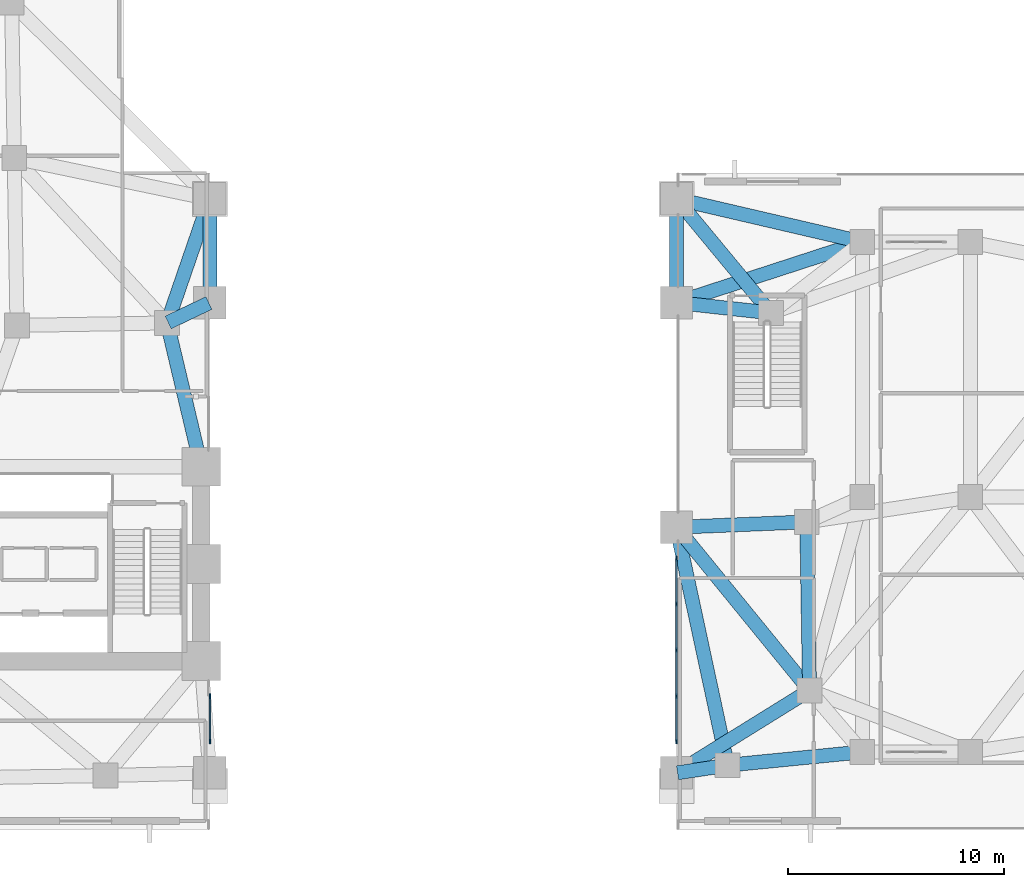
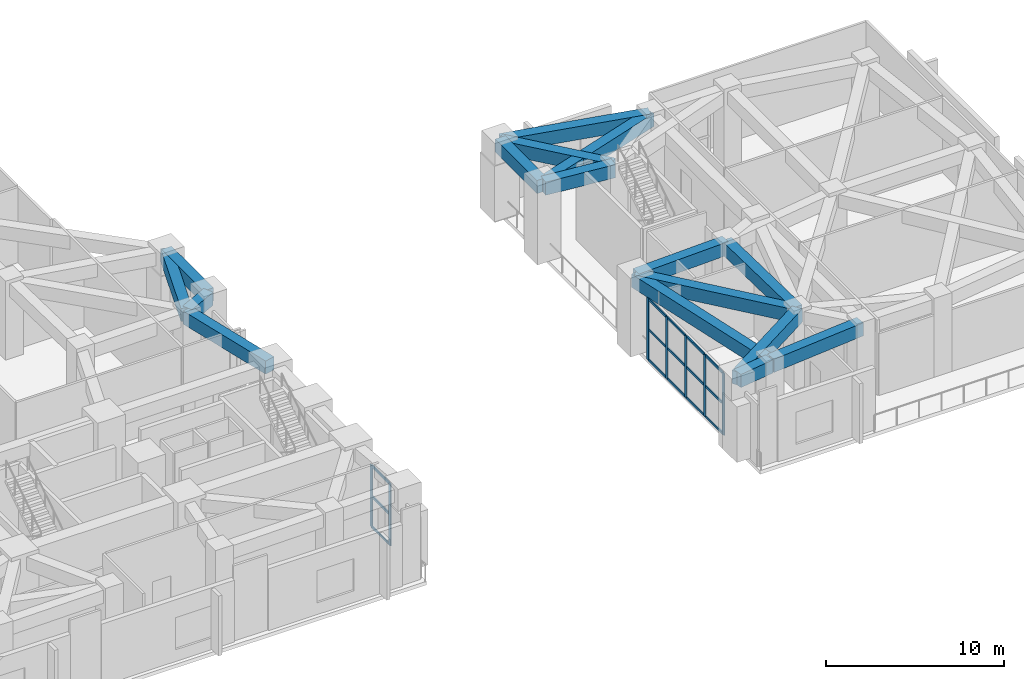
# One storey, part 2 of 18: 22 members, 16 beams, 2 elements without a shape of their own.
"""IFC4 building model written with IfcOpenShell, lengths in metres."""

from ifc_helpers import new_model, si_unit, direction, frame, origin, origin_2d, place, context, subcontext, project, spatial, rectangle, extrude, material, material_profile, profile_set, type_object, element, aggregate, save


model = new_model("IFC4")

# Units and contexts
model_context = context("Model", 3, precision=1e-05, world=origin(), true_north=direction((0.0, 1.0)))
body_context = subcontext(model_context, "Body", "Model", "MODEL_VIEW")
ifc_project = project(units=[si_unit("LENGTHUNIT", "METRE"), si_unit("AREAUNIT", "SQUARE_METRE"), si_unit("VOLUMEUNIT", "CUBIC_METRE"), si_unit("PLANEANGLEUNIT", "RADIAN"), si_unit("MASSUNIT", "GRAM", prefix="KILO")], contexts=[model_context])

# Site, building, storey
site_placement = place(None, origin())
site = spatial("IfcSite", under=ifc_project, at=site_placement, CompositionType="ELEMENT")
building_placement = place(site_placement, origin())
building = spatial("IfcBuilding", under=site, at=building_placement, Name="Gaonmaruhae Medical Tower", CompositionType="ELEMENT")
storey_placement = place(building_placement, frame((0.0, 0.0, 10.800048828125)))
storey = spatial("IfcBuildingStorey", under=building, at=storey_placement, Name="L02", CompositionType="ELEMENT", Elevation=10.800048828125)

# Curtain wall, members
ifc_material_1 = material(Name="Anodised aluminium and Low-E double glazing", Category="aluminium")
curtain_wall_type = type_object("IfcCurtainWallType", Name="CW-S1 Portal Arch Concourse Curtain Wall", PredefinedType="NOTDEFINED", material=ifc_material_1)
curtain_wall_1_placement = place(storey_placement, origin())
curtain_wall_1 = element("IfcCurtainWall", 1, at=curtain_wall_1_placement, inside=storey, type_object=curtain_wall_type, Name="L02 Curtain Wall CW-L02-S1W", PredefinedType="NOTDEFINED")
ifc_material_2 = material(Name="Anodised aluminium 6063-T6", Category="aluminium")
ifc_material_profile_1 = material_profile(ifc_material_2, rectangle(XDim=0.074951171875, YDim=0.219970703125, at=origin_2d()), Name="CWM-75x220")
ifc_profile_set_1 = profile_set([ifc_material_profile_1], Name="Anodised aluminium 6063-T6")
member_type_1 = type_object("IfcMemberType", Name="CWM-1 Heavy Atrium Curtain Wall Mullion (CWM-75x220)", PredefinedType="MULLION", material=ifc_profile_set_1)
member_1_placement = place(storey_placement, frame((36.0, 4.084228515625, 0.0), z_axis=(0.0, 0.0, 1.0), x_axis=(-1.0, 0.0, 0.0)))
member_1 = element("IfcMember", 2, at=member_1_placement, type_object=member_type_1, Name="CW-S1 mullion 1", PredefinedType="MULLION", context=body_context, shape_type="SweptSolid", body=[
    extrude(rectangle(XDim=0.074951171875, YDim=0.219970703125, at=origin_2d()), origin(), (0.0, 0.0, 1.0), 4.22998046875),
])
member_2_placement = place(storey_placement, frame((36.0, 6.179443359375, 0.0), z_axis=(0.0, 0.0, 1.0), x_axis=(-1.0, 0.0, 0.0)))
member_2 = element("IfcMember", 3, at=member_2_placement, type_object=member_type_1, Name="CW-S1 mullion 2", PredefinedType="MULLION", context=body_context, shape_type="SweptSolid", body=[
    extrude(rectangle(XDim=0.074951171875, YDim=0.219970703125, at=origin_2d()), origin(), (0.0, 0.0, 1.0), 4.22998046875),
])

curtain_wall_2_placement = place(storey_placement, origin())
curtain_wall_2 = element("IfcCurtainWall", 4, at=curtain_wall_2_placement, inside=storey, type_object=curtain_wall_type, Name="L02 Curtain Wall CW-L02-S1E", PredefinedType="NOTDEFINED")
member_3_placement = place(storey_placement, frame((57.60009765625, 4.084228515625, 0.0), z_axis=(0.0, 0.0, 1.0), x_axis=(-1.0, 0.0, 0.0)))
member_3 = element("IfcMember", 5, at=member_3_placement, type_object=member_type_1, Name="CW-S1 mullion 1", PredefinedType="MULLION", context=body_context, shape_type="SweptSolid", body=[
    extrude(rectangle(XDim=0.074951171875, YDim=0.219970703125, at=origin_2d()), origin(), (0.0, 0.0, 1.0), 4.22998046875),
])
member_4_placement = place(storey_placement, frame((57.60009765625, 6.179931640625, 0.0), z_axis=(0.0, 0.0, 1.0), x_axis=(-1.0, 0.0, 0.0)))
member_4 = element("IfcMember", 6, at=member_4_placement, type_object=member_type_1, Name="CW-S1 mullion 2", PredefinedType="MULLION", context=body_context, shape_type="SweptSolid", body=[
    extrude(rectangle(XDim=0.074951171875, YDim=0.219970703125, at=origin_2d()), origin(), (0.0, 0.0, 1.0), 4.22998046875),
])
member_5_placement = place(storey_placement, frame((57.60009765625, 8.31298828125, 0.0), z_axis=(0.0, 0.0, 1.0), x_axis=(-1.0, 0.0, 0.0)))
member_5 = element("IfcMember", 7, at=member_5_placement, type_object=member_type_1, Name="CW-S1 mullion 3", PredefinedType="MULLION", context=body_context, shape_type="SweptSolid", body=[
    extrude(rectangle(XDim=0.074951171875, YDim=0.219970703125, at=origin_2d()), origin(), (0.0, 0.0, 1.0), 4.22998046875),
])
member_6_placement = place(storey_placement, frame((57.60009765625, 10.446044921875, 0.0), z_axis=(0.0, 0.0, 1.0), x_axis=(-1.0, 0.0, 0.0)))
member_6 = element("IfcMember", 8, at=member_6_placement, type_object=member_type_1, Name="CW-S1 mullion 4", PredefinedType="MULLION", context=body_context, shape_type="SweptSolid", body=[
    extrude(rectangle(XDim=0.074951171875, YDim=0.219970703125, at=origin_2d()), origin(), (0.0, 0.0, 1.0), 4.22998046875),
])
member_7_placement = place(storey_placement, frame((57.60009765625, 12.541748046875, 0.0), z_axis=(0.0, 0.0, 1.0), x_axis=(-1.0, 0.0, 0.0)))
member_7 = element("IfcMember", 9, at=member_7_placement, type_object=member_type_1, Name="CW-S1 mullion 5", PredefinedType="MULLION", context=body_context, shape_type="SweptSolid", body=[
    extrude(rectangle(XDim=0.074951171875, YDim=0.219970703125, at=origin_2d()), origin(), (0.0, 0.0, 1.0), 4.22998046875),
])

# Member
ifc_material_profile_2 = material_profile(ifc_material_2, rectangle(XDim=0.074951171875, YDim=0.159912109375, at=origin_2d()), Name="CWT-75x160")
ifc_profile_set_2 = profile_set([ifc_material_profile_2], Name="Anodised aluminium 6063-T6")
member_type_2 = type_object("IfcMemberType", Name="CWT-1 Heavy Atrium Curtain Wall Transom (CWT-75x160)", PredefinedType="USERDEFINED", material=ifc_profile_set_2)
member_8_placement = place(storey_placement, frame((36.0, 4.12158203125, 0.037353515625), z_axis=(0.0, 1.0, 0.0), x_axis=(-1.0, 0.0, 0.0)))
member_8 = element("IfcMember", 10, at=member_8_placement, type_object=member_type_2, Name="CW-S1 transom 1.1", ObjectType="TRANSOM", PredefinedType="USERDEFINED", context=body_context, shape_type="SweptSolid", body=[
    extrude(rectangle(XDim=0.074951171875, YDim=0.159912109375, at=origin_2d()), origin(), (0.0, 0.0, 1.0), 2.0205078125),
])

member_9_placement = place(storey_placement, frame((36.0, 4.12158203125, 2.114990234375), z_axis=(0.0, 1.0, 0.0), x_axis=(-1.0, 0.0, 0.0)))
member_9 = element("IfcMember", 11, at=member_9_placement, type_object=member_type_2, Name="CW-S1 transom 1.2", ObjectType="TRANSOM", PredefinedType="USERDEFINED", context=body_context, shape_type="SweptSolid", body=[
    extrude(rectangle(XDim=0.074951171875, YDim=0.159912109375, at=origin_2d()), origin(), (0.0, 0.0, 1.0), 2.0205078125),
])

member_10_placement = place(storey_placement, frame((36.0, 4.12158203125, 4.1923828125), z_axis=(0.0, 1.0, 0.0), x_axis=(-1.0, 0.0, 0.0)))
member_10 = element("IfcMember", 12, at=member_10_placement, type_object=member_type_2, Name="CW-S1 transom 1.3", ObjectType="TRANSOM", PredefinedType="USERDEFINED", context=body_context, shape_type="SweptSolid", body=[
    extrude(rectangle(XDim=0.074951171875, YDim=0.159912109375, at=origin_2d()), origin(), (0.0, 0.0, 1.0), 2.0205078125),
])

aggregate(curtain_wall_1, [member_1, member_2, member_8, member_9, member_10])

member_11_placement = place(storey_placement, frame((57.60009765625, 4.12158203125, 0.037353515625), z_axis=(0.0, 1.0, 0.0), x_axis=(-1.0, 0.0, 0.0)))
member_11 = element("IfcMember", 13, at=member_11_placement, type_object=member_type_2, Name="CW-S1 transom 1.1", ObjectType="TRANSOM", PredefinedType="USERDEFINED", context=body_context, shape_type="SweptSolid", body=[
    extrude(rectangle(XDim=0.074951171875, YDim=0.159912109375, at=origin_2d()), origin(), (0.0, 0.0, 1.0), 2.020751953125),
])

member_12_placement = place(storey_placement, frame((57.60009765625, 4.12158203125, 2.114990234375), z_axis=(0.0, 1.0, 0.0), x_axis=(-1.0, 0.0, 0.0)))
member_12 = element("IfcMember", 14, at=member_12_placement, type_object=member_type_2, Name="CW-S1 transom 1.2", ObjectType="TRANSOM", PredefinedType="USERDEFINED", context=body_context, shape_type="SweptSolid", body=[
    extrude(rectangle(XDim=0.074951171875, YDim=0.159912109375, at=origin_2d()), origin(), (0.0, 0.0, 1.0), 2.020751953125),
])

member_13_placement = place(storey_placement, frame((57.60009765625, 4.12158203125, 4.1923828125), z_axis=(0.0, 1.0, 0.0), x_axis=(-1.0, 0.0, 0.0)))
member_13 = element("IfcMember", 15, at=member_13_placement, type_object=member_type_2, Name="CW-S1 transom 1.3", ObjectType="TRANSOM", PredefinedType="USERDEFINED", context=body_context, shape_type="SweptSolid", body=[
    extrude(rectangle(XDim=0.074951171875, YDim=0.159912109375, at=origin_2d()), origin(), (0.0, 0.0, 1.0), 2.020751953125),
])

member_14_placement = place(storey_placement, frame((57.60009765625, 6.21728515625, 0.037353515625), z_axis=(0.0, 1.0, 0.0), x_axis=(-1.0, 0.0, 0.0)))
member_14 = element("IfcMember", 16, at=member_14_placement, type_object=member_type_2, Name="CW-S1 transom 2.1", ObjectType="TRANSOM", PredefinedType="USERDEFINED", context=body_context, shape_type="SweptSolid", body=[
    extrude(rectangle(XDim=0.074951171875, YDim=0.159912109375, at=origin_2d()), origin(), (0.0, 0.0, 1.0), 2.05810546875),
])

member_15_placement = place(storey_placement, frame((57.60009765625, 6.21728515625, 2.114990234375), z_axis=(0.0, 1.0, 0.0), x_axis=(-1.0, 0.0, 0.0)))
member_15 = element("IfcMember", 17, at=member_15_placement, type_object=member_type_2, Name="CW-S1 transom 2.2", ObjectType="TRANSOM", PredefinedType="USERDEFINED", context=body_context, shape_type="SweptSolid", body=[
    extrude(rectangle(XDim=0.074951171875, YDim=0.159912109375, at=origin_2d()), origin(), (0.0, 0.0, 1.0), 2.05810546875),
])

member_16_placement = place(storey_placement, frame((57.60009765625, 6.21728515625, 4.1923828125), z_axis=(0.0, 1.0, 0.0), x_axis=(-1.0, 0.0, 0.0)))
member_16 = element("IfcMember", 18, at=member_16_placement, type_object=member_type_2, Name="CW-S1 transom 2.3", ObjectType="TRANSOM", PredefinedType="USERDEFINED", context=body_context, shape_type="SweptSolid", body=[
    extrude(rectangle(XDim=0.074951171875, YDim=0.159912109375, at=origin_2d()), origin(), (0.0, 0.0, 1.0), 2.05810546875),
])

member_17_placement = place(storey_placement, frame((57.60009765625, 8.3505859375, 0.037353515625), z_axis=(0.0, 1.0, 0.0), x_axis=(-1.0, 0.0, 0.0)))
member_17 = element("IfcMember", 19, at=member_17_placement, type_object=member_type_2, Name="CW-S1 transom 3.1", ObjectType="TRANSOM", PredefinedType="USERDEFINED", context=body_context, shape_type="SweptSolid", body=[
    extrude(rectangle(XDim=0.074951171875, YDim=0.159912109375, at=origin_2d()), origin(), (0.0, 0.0, 1.0), 2.05810546875),
])

member_18_placement = place(storey_placement, frame((57.60009765625, 8.3505859375, 2.114990234375), z_axis=(0.0, 1.0, 0.0), x_axis=(-1.0, 0.0, 0.0)))
member_18 = element("IfcMember", 20, at=member_18_placement, type_object=member_type_2, Name="CW-S1 transom 3.2", ObjectType="TRANSOM", PredefinedType="USERDEFINED", context=body_context, shape_type="SweptSolid", body=[
    extrude(rectangle(XDim=0.074951171875, YDim=0.159912109375, at=origin_2d()), origin(), (0.0, 0.0, 1.0), 2.05810546875),
])

member_19_placement = place(storey_placement, frame((57.60009765625, 8.3505859375, 4.1923828125), z_axis=(0.0, 1.0, 0.0), x_axis=(-1.0, 0.0, 0.0)))
member_19 = element("IfcMember", 21, at=member_19_placement, type_object=member_type_2, Name="CW-S1 transom 3.3", ObjectType="TRANSOM", PredefinedType="USERDEFINED", context=body_context, shape_type="SweptSolid", body=[
    extrude(rectangle(XDim=0.074951171875, YDim=0.159912109375, at=origin_2d()), origin(), (0.0, 0.0, 1.0), 2.05810546875),
])

member_20_placement = place(storey_placement, frame((57.60009765625, 10.483642578125, 0.037353515625), z_axis=(0.0, 1.0, 0.0), x_axis=(-1.0, 0.0, 0.0)))
member_20 = element("IfcMember", 22, at=member_20_placement, type_object=member_type_2, Name="CW-S1 transom 4.1", ObjectType="TRANSOM", PredefinedType="USERDEFINED", context=body_context, shape_type="SweptSolid", body=[
    extrude(rectangle(XDim=0.074951171875, YDim=0.159912109375, at=origin_2d()), origin(), (0.0, 0.0, 1.0), 2.020751953125),
])

member_21_placement = place(storey_placement, frame((57.60009765625, 10.483642578125, 2.114990234375), z_axis=(0.0, 1.0, 0.0), x_axis=(-1.0, 0.0, 0.0)))
member_21 = element("IfcMember", 23, at=member_21_placement, type_object=member_type_2, Name="CW-S1 transom 4.2", ObjectType="TRANSOM", PredefinedType="USERDEFINED", context=body_context, shape_type="SweptSolid", body=[
    extrude(rectangle(XDim=0.074951171875, YDim=0.159912109375, at=origin_2d()), origin(), (0.0, 0.0, 1.0), 2.020751953125),
])

member_22_placement = place(storey_placement, frame((57.60009765625, 10.483642578125, 4.1923828125), z_axis=(0.0, 1.0, 0.0), x_axis=(-1.0, 0.0, 0.0)))
member_22 = element("IfcMember", 24, at=member_22_placement, type_object=member_type_2, Name="CW-S1 transom 4.3", ObjectType="TRANSOM", PredefinedType="USERDEFINED", context=body_context, shape_type="SweptSolid", body=[
    extrude(rectangle(XDim=0.074951171875, YDim=0.159912109375, at=origin_2d()), origin(), (0.0, 0.0, 1.0), 2.020751953125),
])

aggregate(curtain_wall_2, [member_3, member_4, member_5, member_6, member_7, member_11, member_12, member_13, member_14, member_15, member_16, member_17, member_18, member_19, member_20, member_21, member_22])

# Beams
ifc_material_3 = material(Name="Concrete C50/60", Category="concrete")
ifc_material_profile_3 = material_profile(ifc_material_3, rectangle(XDim=0.64990234375, YDim=0.89990234375, at=origin_2d()), Name="RCG-650x900")
ifc_profile_set_3 = profile_set([ifc_material_profile_3], Name="Concrete C50/60")
beam_type = type_object("IfcBeamType", Name="RG-01 Podium Primary RC Girder (RCG-650x900)", PredefinedType="BEAM", material=ifc_profile_set_3)
beam_1_placement = place(storey_placement, frame((57.6494140625, 2.633544921875, 4.699951171875), z_axis=(0.988739394413, 0.149647619213, 0.0), x_axis=(-0.149647619213, 0.988739394413, 0.0)))
element("IfcBeam", 25, at=beam_1_placement, inside=storey, type_object=beam_type, Name="L02 Beam BM-L02-PG003", PredefinedType="BEAM", context=body_context, shape_type="SweptSolid", body=[
    extrude(rectangle(XDim=0.64990234375, YDim=0.89990234375, at=origin_2d()), origin(), (0.0, 0.0, 1.0), 2.292236328125),
])
beam_2_placement = place(storey_placement, frame((57.642578125, 2.65234375, 4.699951171875), z_axis=(0.849690298429, 0.527282084614, 0.0), x_axis=(-0.527282084614, 0.849690298429, 0.0)))
element("IfcBeam", 26, at=beam_2_placement, inside=storey, type_object=beam_type, Name="L02 Beam BM-L02-PG004", PredefinedType="BEAM", context=body_context, shape_type="SweptSolid", body=[
    extrude(rectangle(XDim=0.64990234375, YDim=0.89990234375, at=origin_2d()), origin(), (0.0, 0.0, 1.0), 7.147705078125),
])
beam_3_placement = place(storey_placement, frame((57.64990234375, 14.001953125, 4.699951171875), z_axis=(0.999165142421, 0.04085361881, 0.0), x_axis=(-0.04085361881, 0.999165142421, 0.0)))
element("IfcBeam", 27, at=beam_3_placement, inside=storey, type_object=beam_type, Name="L02 Beam BM-L02-PG005", PredefinedType="BEAM", context=body_context, shape_type="SweptSolid", body=[
    extrude(rectangle(XDim=0.64990234375, YDim=0.89990234375, at=origin_2d()), origin(), (0.0, 0.0, 1.0), 5.93408203125),
])
beam_4_placement = place(storey_placement, frame((57.631591796875, 13.961181640625, 4.699951171875), z_axis=(0.631959132542, -0.77500171277, 0.0), x_axis=(0.77500171277, 0.631959132542, 0.0)))
element("IfcBeam", 28, at=beam_4_placement, inside=storey, type_object=beam_type, Name="L02 Beam BM-L02-PG006", PredefinedType="BEAM", context=body_context, shape_type="SweptSolid", body=[
    extrude(rectangle(XDim=0.64990234375, YDim=0.89990234375, at=origin_2d()), origin(), (0.0, 0.0, 1.0), 9.64501953125),
])
beam_5_placement = place(storey_placement, frame((35.954833984375, 24.37841796875, 4.699951171875), z_axis=(-0.902607868555, -0.430463744841, 0.0), x_axis=(0.430463744841, -0.902607868555, 0.0)))
element("IfcBeam", 29, at=beam_5_placement, inside=storey, type_object=beam_type, Name="L02 Beam BM-L02-PG007", PredefinedType="BEAM", context=body_context, shape_type="SweptSolid", body=[
    extrude(rectangle(XDim=0.64990234375, YDim=0.89990234375, at=origin_2d()), origin(), (0.0, 0.0, 1.0), 2.091064453125),
])
beam_6_placement = place(storey_placement, frame((36.0, 24.449951171875, 4.699951171875), z_axis=(0.0, 1.0, 0.0), x_axis=(-1.0, 0.0, 0.0)))
element("IfcBeam", 30, at=beam_6_placement, inside=storey, type_object=beam_type, Name="L02 Beam BM-L02-PG008", PredefinedType="BEAM", context=body_context, shape_type="SweptSolid", body=[
    extrude(rectangle(XDim=0.64990234375, YDim=0.89990234375, at=origin_2d()), origin(), (0.0, 0.0, 1.0), 4.699951171875),
])
beam_7_placement = place(storey_placement, frame((57.649658203125, 24.39453125, 4.699951171875), z_axis=(0.994019545115, -0.109202307341, 0.0), x_axis=(0.109202307341, 0.994019545115, 0.0)))
element("IfcBeam", 31, at=beam_7_placement, inside=storey, type_object=beam_type, Name="L02 Beam BM-L02-PG009", PredefinedType="BEAM", context=body_context, shape_type="SweptSolid", body=[
    extrude(rectangle(XDim=0.64990234375, YDim=0.89990234375, at=origin_2d()), origin(), (0.0, 0.0, 1.0), 4.294677734375),
])
beam_8_placement = place(storey_placement, frame((57.60009765625, 24.449951171875, 4.699951171875), z_axis=(0.0, 1.0, 0.0), x_axis=(-1.0, 0.0, 0.0)))
element("IfcBeam", 32, at=beam_8_placement, inside=storey, type_object=beam_type, Name="L02 Beam BM-L02-PG010", PredefinedType="BEAM", context=body_context, shape_type="SweptSolid", body=[
    extrude(rectangle(XDim=0.64990234375, YDim=0.89990234375, at=origin_2d()), origin(), (0.0, 0.0, 1.0), 4.699951171875),
])
beam_9_placement = place(storey_placement, frame((35.983642578125, 29.15283203125, 4.699951171875), z_axis=(-0.325578822882, -0.945514902099, 0.0), x_axis=(0.945514902099, -0.325578822882, 0.0)))
element("IfcBeam", 33, at=beam_9_placement, inside=storey, type_object=beam_type, Name="L02 Beam BM-L02-PG011", PredefinedType="BEAM", context=body_context, shape_type="SweptSolid", body=[
    extrude(rectangle(XDim=0.64990234375, YDim=0.89990234375, at=origin_2d()), origin(), (0.0, 0.0, 1.0), 5.97412109375),
])
beam_10_placement = place(storey_placement, frame((57.6318359375, 29.161376953125, 4.699951171875), z_axis=(0.63748483708, -0.770462901439, 0.0), x_axis=(0.770462901439, 0.63748483708, 0.0)))
element("IfcBeam", 34, at=beam_10_placement, inside=storey, type_object=beam_type, Name="L02 Beam BM-L02-PG013", PredefinedType="BEAM", context=body_context, shape_type="SweptSolid", body=[
    extrude(rectangle(XDim=0.64990234375, YDim=0.89990234375, at=origin_2d()), origin(), (0.0, 0.0, 1.0), 6.752685546875),
])
beam_11_placement = place(storey_placement, frame((57.648681640625, 29.188720703125, 4.699951171875), z_axis=(0.974009892436, -0.226505473306, 0.0), x_axis=(0.226505473306, 0.974009892436, 0.0)))
element("IfcBeam", 35, at=beam_11_placement, inside=storey, type_object=beam_type, Name="L02 Beam BM-L02-PG014", PredefinedType="BEAM", context=body_context, shape_type="SweptSolid", body=[
    extrude(rectangle(XDim=0.64990234375, YDim=0.89990234375, at=origin_2d()), origin(), (0.0, 0.0, 1.0), 8.7294921875),
])
beam_12_placement = place(storey_placement, frame((60.01513671875, 2.989013671875, 4.699951171875), z_axis=(0.995157611047, 0.098292060592, 0.0), x_axis=(-0.098292060592, 0.995157611047, 0.0)))
element("IfcBeam", 36, at=beam_12_placement, inside=storey, type_object=beam_type, Name="L02 Beam BM-L02-PG023", PredefinedType="BEAM", context=body_context, shape_type="SweptSolid", body=[
    extrude(rectangle(XDim=0.64990234375, YDim=0.89990234375, at=origin_2d()), origin(), (0.0, 0.0, 1.0), 6.164794921875),
])
beam_13_placement = place(storey_placement, frame((59.954833984375, 3.032958984375, 4.699951171875), z_axis=(-0.209924731401, 0.977717549779, 0.0), x_axis=(-0.977717549779, -0.209924731401, 0.0)))
element("IfcBeam", 37, at=beam_13_placement, inside=storey, type_object=beam_type, Name="L02 Beam BM-L02-PG024", PredefinedType="BEAM", context=body_context, shape_type="SweptSolid", body=[
    extrude(rectangle(XDim=0.64990234375, YDim=0.89990234375, at=origin_2d()), origin(), (0.0, 0.0, 1.0), 11.1669921875),
])
beam_14_placement = place(storey_placement, frame((63.757568359375, 6.49755859375, 4.699951171875), z_axis=(-0.016582992443, 0.999862492727, 0.0), x_axis=(-0.999862492727, -0.016582992443, 0.0)))
element("IfcBeam", 38, at=beam_14_placement, inside=storey, type_object=beam_type, Name="L02 Beam BM-L02-PG026", PredefinedType="BEAM", context=body_context, shape_type="SweptSolid", body=[
    extrude(rectangle(XDim=0.64990234375, YDim=0.89990234375, at=origin_2d()), origin(), (0.0, 0.0, 1.0), 7.69970703125),
])
beam_15_placement = place(storey_placement, frame((34.033935546875, 23.408203125, 4.699951171875), z_axis=(0.230587307936, -0.973051639647, 0.0), x_axis=(0.973051639647, 0.230587307936, 0.0)))
element("IfcBeam", 39, at=beam_15_placement, inside=storey, type_object=beam_type, Name="L02 Beam BM-L02-PG031", PredefinedType="BEAM", context=body_context, shape_type="SweptSolid", body=[
    extrude(rectangle(XDim=0.64990234375, YDim=0.89990234375, at=origin_2d()), origin(), (0.0, 0.0, 1.0), 6.7412109375),
])
beam_16_placement = place(storey_placement, frame((66.15234375, 27.1845703125, 4.699951171875), z_axis=(-0.950871057756, -0.309587195346, 0.0), x_axis=(0.309587195346, -0.950871057756, 0.0)))
element("IfcBeam", 40, at=beam_16_placement, inside=storey, type_object=beam_type, Name="L02 Beam BM-L02-PG067", PredefinedType="BEAM", context=body_context, shape_type="SweptSolid", body=[
    extrude(rectangle(XDim=0.64990234375, YDim=0.89990234375, at=origin_2d()), origin(), (0.0, 0.0, 1.0), 8.9443359375),
])

save(model, "model.ifc")
